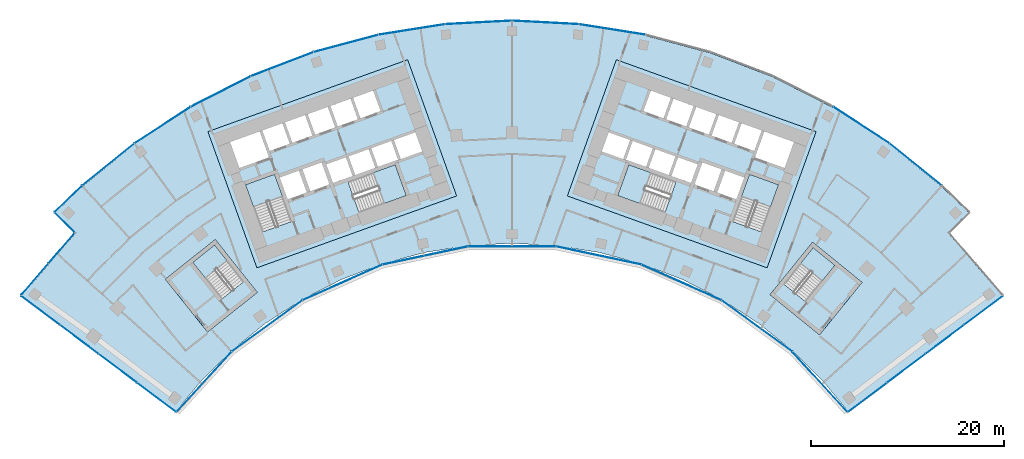
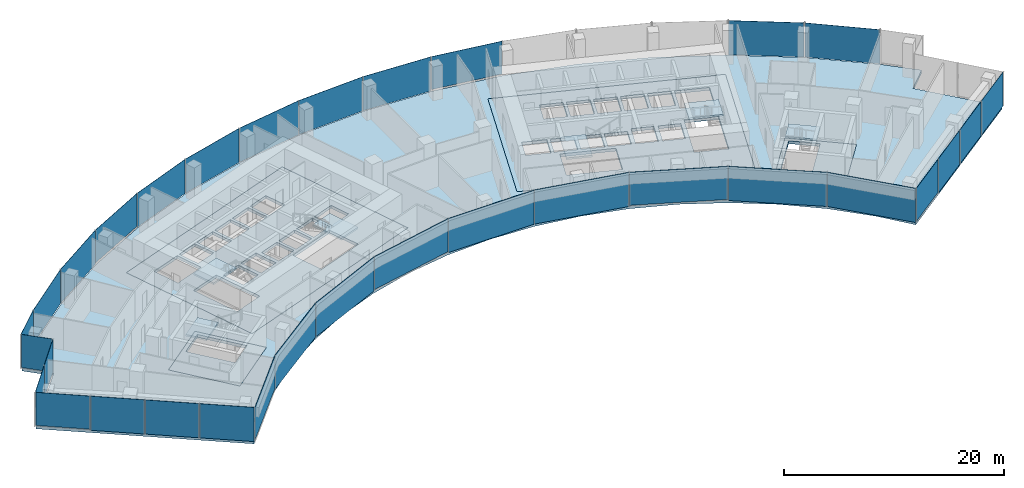
# One storey, part 11 of 20: 32 plates, 11 slabs, 12 elements without a shape of their own.
"""IFC4 building model written with IfcOpenShell, lengths in metres."""

import ifcopenshell
import ifcopenshell.guid

model = None  # the IFC model being written
_history = None  # IfcOwnerHistory: only IFC2X3 demands one
_inside = {}  # id of a spatial element -> (the spatial element, [elements in it])
_under = {}  # id of a project, library or spatial element -> (it, [spatial elements below it])
_declared = {}  # id of a project -> (the project, [libraries it declares])
_typed = {}  # id of a type object -> (the type object, [elements of that type])
_made_of = {}  # id of a material, layer set ... -> (it, [elements and type objects made of it])


def new_model(schema):
    """Start an empty IFC model of exactly this schema.

    Asked for "IFC4X3", IfcOpenShell would pick the latest addendum, in which some entities
    have other attributes; the version numbers below select the first issue.
    IFC2X3 requires an IfcOwnerHistory on every rooted entity: one is made here for all.
    """
    global model, _history
    if schema == "IFC4X3":
        model = ifcopenshell.file(schema_version=(4, 3, 0, 0))
    else:
        model = ifcopenshell.file(schema=schema)
    _inside.clear()
    _under.clear()
    _declared.clear()
    _typed.clear()
    _made_of.clear()
    _history = None
    if model.schema == "IFC2X3":
        org = make("IfcOrganization", Name="unknown")
        user = make(
            "IfcPersonAndOrganization",
            ThePerson=make("IfcPerson", FamilyName="unknown"),
            TheOrganization=org,
        )
        app = make(
            "IfcApplication",
            ApplicationDeveloper=org,
            Version="unknown",
            ApplicationFullName="unknown",
            ApplicationIdentifier="unknown",
        )
        _history = make(
            "IfcOwnerHistory",
            OwningUser=user,
            OwningApplication=app,
            ChangeAction="ADDED",
            CreationDate=0,
        )
    return model


def make(cls, **values):
    """One entity of the class cls with the attributes given. An attribute that is None is left unset."""
    return model.create_entity(
        cls, **{name: value for name, value in values.items() if value is not None}
    )


def rooted(cls, **values):
    """An entity with a GlobalId (a new one), such as an element, a storey or a relation."""
    return make(cls, GlobalId=ifcopenshell.guid.new(), OwnerHistory=_history, **values)


def si_unit(unit_type, name, prefix=None):
    """IfcSIUnit, for example si_unit("LENGTHUNIT", "METRE", prefix="MILLI")."""
    return make("IfcSIUnit", UnitType=unit_type, Prefix=prefix, Name=name)


def assignment(units):
    """IfcUnitAssignment: the units of a project."""
    return None if units is None else make("IfcUnitAssignment", Units=units)


def point(xyz):
    """IfcCartesianPoint."""
    return None if xyz is None else make("IfcCartesianPoint", Coordinates=xyz)


def direction(xyz):
    """IfcDirection."""
    return None if xyz is None else make("IfcDirection", DirectionRatios=xyz)


def frame(location, z_axis=None, x_axis=None):
    """IfcAxis2Placement3D, a coordinate frame: its origin and axes. An axis left out is left unset."""
    return make(
        "IfcAxis2Placement3D",
        Location=point(location),
        Axis=direction(z_axis),
        RefDirection=direction(x_axis),
    )


def frame_2d(location, x_axis=None):
    """IfcAxis2Placement2D, a coordinate frame in the plane: its origin and x axis."""
    return make(
        "IfcAxis2Placement2D", Location=point(location), RefDirection=direction(x_axis)
    )


def origin():
    """The frame at (0, 0, 0) with its axes left unset."""
    return frame((0.0, 0.0, 0.0))


def origin_2d():
    """The frame at (0, 0) in the plane with its x axis left unset."""
    return frame_2d((0.0, 0.0))


def place(relative_to, where):
    """IfcLocalPlacement: puts the frame where relative to a parent placement (None: the world)."""
    return make(
        "IfcLocalPlacement", PlacementRelTo=relative_to, RelativePlacement=where
    )


def context(
    kind, dimensions, precision=None, world=None, true_north=None, identifier=None
):
    """IfcGeometricRepresentationContext, for example the 3D "Model" context."""
    return make(
        "IfcGeometricRepresentationContext",
        ContextIdentifier=identifier,
        ContextType=kind,
        CoordinateSpaceDimension=dimensions,
        Precision=precision,
        WorldCoordinateSystem=world,
        TrueNorth=true_north,
    )


def subcontext(parent, identifier, kind, view, scale=None):
    """IfcGeometricRepresentationSubContext, for example "Body" below "Model"."""
    return make(
        "IfcGeometricRepresentationSubContext",
        ContextIdentifier=identifier,
        ContextType=kind,
        ParentContext=parent,
        TargetScale=scale,
        TargetView=view,
    )


def project(units=None, contexts=None):
    """IfcProject with its units and contexts."""
    return rooted(
        "IfcProject",
        Name="project",
        RepresentationContexts=contexts,
        UnitsInContext=assignment(units),
    )


def spatial(cls, under=None, at=None, **own):
    """A site, building, storey or space (cls), placed at a placement, below another one or the project."""
    s = rooted(cls, ObjectPlacement=at, **own)
    if under is not None:
        _under.setdefault(under.id(), (under, []))[1].append(s)
    return s


def polyline(points):
    """IfcPolyline through the points."""
    return make("IfcPolyline", Points=[point(p) for p in points])


def profile(cls, at=None, kind="AREA", **sizes):
    """A parametric profile (cls). Its sizes go by their IFC names, for example OverallWidth=200.0."""
    return make(cls, ProfileType=kind, Position=at, **sizes)


def rectangle(**sizes):
    """IfcRectangleProfileDef."""
    return profile("IfcRectangleProfileDef", **sizes)


def outline(outer, holes=None, kind="AREA"):
    """IfcArbitraryClosedProfileDef: a profile drawn as a closed curve; with holes, ...WithVoids."""
    if holes is None:
        return make("IfcArbitraryClosedProfileDef", ProfileType=kind, OuterCurve=outer)
    return make(
        "IfcArbitraryProfileDefWithVoids",
        ProfileType=kind,
        OuterCurve=outer,
        InnerCurves=holes,
    )


def extrude(swept, where, along, depth):
    """IfcExtrudedAreaSolid: the profile swept, set in the frame where, extruded along a direction by depth."""
    return make(
        "IfcExtrudedAreaSolid",
        SweptArea=swept,
        Position=where,
        ExtrudedDirection=direction(along),
        Depth=depth,
    )


def shape(context_of_items, identifier, shape_type, items):
    """IfcShapeRepresentation: the items that make up one representation, for example the "Body"."""
    return make(
        "IfcShapeRepresentation",
        ContextOfItems=context_of_items,
        RepresentationIdentifier=identifier,
        RepresentationType=shape_type,
        Items=items,
    )


def material(Name=None, Category=None):
    """IfcMaterial."""
    return make("IfcMaterial", Name=Name, Category=Category)


def layer(
    of_material, thickness, ventilated=None, Name=None, Category=None, Priority=None
):
    """IfcMaterialLayer: one layer of a wall or slab, of a material (None: an air gap)."""
    return make(
        "IfcMaterialLayer",
        Material=of_material,
        LayerThickness=thickness,
        IsVentilated=ventilated,
        Name=Name,
        Category=Category,
        Priority=Priority,
    )


def layer_set(layers, Name=None):
    """IfcMaterialLayerSet."""
    return make("IfcMaterialLayerSet", MaterialLayers=layers, LayerSetName=Name)


def made_of(thing, what):
    """Note that an element or type object is made of a material, layer set ...; save() writes the relation."""
    if what is not None:
        _made_of.setdefault(what.id(), (what, []))[1].append(thing)
    return thing


def type_object(cls, material=None, **own):
    """A type object (cls), such as IfcWallType, which elements share."""
    return made_of(rooted(cls, **own), material)


def element(
    cls,
    number,
    at=None,
    inside=None,
    cuts=None,
    type_object=None,
    material=None,
    context=None,
    identifier="Body",
    shape_type=None,
    held_by="IfcProductDefinitionShape",
    body=None,
    shapes=None,
    **own,
):
    """One element of the class cls, such as IfcWall. Its Tag is "e" and its number.

    at: its placement. inside: the storey or other place that contains it. cuts: it is an
    opening in that element (IfcRelVoidsElement). A single representation is given by context,
    identifier, shape_type and body (its items); several are given by shapes. held_by: the class
    of the entity that holds the representations. save() writes the other relations.
    """
    e = rooted(cls, Tag="e%d" % number, ObjectPlacement=at, **own)
    if body is not None:
        shapes = [shape(context, identifier, shape_type, body)]
    if shapes is not None:
        e.Representation = make(held_by, Representations=shapes)
    if inside is not None:
        _inside.setdefault(inside.id(), (inside, []))[1].append(e)
    if cuts is not None:
        rooted(
            "IfcRelVoidsElement", RelatingBuildingElement=cuts, RelatedOpeningElement=e
        )
    if type_object is not None:
        _typed.setdefault(type_object.id(), (type_object, []))[1].append(e)
    return made_of(e, material)


def aggregate(whole, parts):
    """IfcRelAggregates: a whole, such as a stair, and the parts it consists of."""
    return rooted("IfcRelAggregates", RelatingObject=whole, RelatedObjects=parts)


def save(model, path):
    """Write the relations noted so far, then the file.

    IfcRelAggregates (storeys below a building ...), IfcRelContainedInSpatialStructure (elements
    in a storey), IfcRelDefinesByType, IfcRelAssociatesMaterial and IfcRelDeclares: one each for
    every whole, place, type object, material and project.
    """
    for whole, parts in _under.values():
        aggregate(whole, parts)
    for where, things in _inside.values():
        rooted(
            "IfcRelContainedInSpatialStructure",
            RelatedElements=things,
            RelatingStructure=where,
        )
    for kind, things in _typed.values():
        rooted("IfcRelDefinesByType", RelatedObjects=things, RelatingType=kind)
    for what, things in _made_of.values():
        rooted("IfcRelAssociatesMaterial", RelatedObjects=things, RelatingMaterial=what)
    for by, libraries in _declared.values():
        rooted("IfcRelDeclares", RelatingContext=by, RelatedDefinitions=libraries)
    model.write(path)


model = new_model("IFC4")

# Units and contexts
model_context = context("Model", 3, precision=1e-05, world=origin(), true_north=direction((0.0, 1.0)))
body_context = subcontext(model_context, "Body", "Model", "MODEL_VIEW")
ifc_project = project(units=[si_unit("LENGTHUNIT", "METRE"), si_unit("AREAUNIT", "SQUARE_METRE"), si_unit("VOLUMEUNIT", "CUBIC_METRE"), si_unit("PLANEANGLEUNIT", "RADIAN"), si_unit("MASSUNIT", "GRAM", prefix="KILO")], contexts=[model_context])

# Site, building, storey
site_placement = place(None, origin())
site = spatial("IfcSite", under=ifc_project, at=site_placement, CompositionType="ELEMENT")
building_placement = place(site_placement, origin())
building = spatial("IfcBuilding", under=site, at=building_placement, Name="Stone Belt Terrace Tower", CompositionType="ELEMENT")
storey_placement = place(building_placement, frame((0.0, 0.0, 147.800048828125)))
storey = spatial("IfcBuildingStorey", under=building, at=storey_placement, Name="L35", CompositionType="ELEMENT", Elevation=147.800048828125)

# Curtain wall, plates
ifc_material_1 = material(Name="Aluminium 6063-T6 anodised frame", Category="aluminium")
ifc_layer_1 = layer(ifc_material_1, 0.14990234375)
ifc_layer_set_1 = layer_set([ifc_layer_1], Name="CW-A unitised convex-face curtain wall")
curtain_wall_type_1 = type_object("IfcCurtainWallType", Name="CW-A unitised convex-face curtain wall", PredefinedType="NOTDEFINED", material=ifc_layer_set_1)
curtain_wall_1_placement = place(storey_placement, origin())
curtain_wall_1 = element("IfcCurtainWall", 1, at=curtain_wall_1_placement, inside=storey, type_object=curtain_wall_type_1, Name="CW-A convex face L35", PredefinedType="NOTDEFINED")
ifc_material_2 = material(Name="Clear double glazed unit")
ifc_layer_2 = layer(ifc_material_2, 0.031982421875)
ifc_layer_set_2 = layer_set([ifc_layer_2], Name="CW-A glass panel 32")
plate_type_1 = type_object("IfcPlateType", Name="CW-A glass panel 32", PredefinedType="CURTAIN_PANEL", material=ifc_layer_set_2)
plate_1_placement = place(storey_placement, frame((41.839599609375, 51.667724609375, 0.0), z_axis=(0.0, 0.0, 1.0), x_axis=(-0.777145961457, 0.62932039105, 0.0)))
plate_1 = element("IfcPlate", 2, at=plate_1_placement, type_object=plate_type_1, Name="CW-A panel 2.1", PredefinedType="CURTAIN_PANEL", context=body_context, shape_type="SweptSolid", body=[
    extrude(rectangle(XDim=6.900634765625, YDim=0.031982421875, at=origin_2d()), origin(), (0.0, 0.0, 1.0), 3.800048828125),
])
plate_2_placement = place(storey_placement, frame((36.209716796875, 55.758056640625, 0.0), z_axis=(0.0, 0.0, 1.0), x_axis=(-0.838670567945, 0.544639035015, 0.0)))
plate_2 = element("IfcPlate", 3, at=plate_2_placement, type_object=plate_type_1, Name="CW-A panel 3.1", PredefinedType="CURTAIN_PANEL", context=body_context, shape_type="SweptSolid", body=[
    extrude(rectangle(XDim=6.90087890625, YDim=0.031982421875, at=origin_2d()), origin(), (0.0, 0.0, 1.0), 3.800048828125),
])
plate_3_placement = place(storey_placement, frame((10.400390625, 65.665283203125, 0.14013671875), z_axis=(0.0, 0.0, 1.0), x_axis=(-0.987688340595, 0.15643446504, 0.0)))
plate_3 = element("IfcPlate", 4, at=plate_3_placement, type_object=plate_type_1, Name="CW-A panel 7.1", PredefinedType="CURTAIN_PANEL", context=body_context, shape_type="SweptSolid", body=[
    extrude(rectangle(XDim=6.90087890625, YDim=0.031982421875, at=origin_2d()), origin(), (0.0, 0.0, 1.0), 3.659912109375),
])
plate_4_placement = place(storey_placement, frame((3.4794921875, 66.392822265625, 0.0), z_axis=(0.0, 0.0, 1.0), x_axis=(-0.998629534755, 0.052335956243, 0.0)))
plate_4 = element("IfcPlate", 5, at=plate_4_placement, type_object=plate_type_1, Name="CW-A panel 8.1", PredefinedType="CURTAIN_PANEL", context=body_context, shape_type="SweptSolid", body=[
    extrude(rectangle(XDim=6.90087890625, YDim=0.031982421875, at=origin_2d()), origin(), (0.0, 0.0, 1.0), 3.800048828125),
])
plate_5_placement = place(storey_placement, frame((-3.4794921875, 66.392822265625, 0.0), z_axis=(0.0, 0.0, 1.0), x_axis=(-0.998629534755, -0.052335956243, 0.0)))
plate_5 = element("IfcPlate", 6, at=plate_5_placement, type_object=plate_type_1, Name="CW-A panel 9.1", PredefinedType="CURTAIN_PANEL", context=body_context, shape_type="SweptSolid", body=[
    extrude(rectangle(XDim=6.90087890625, YDim=0.031982421875, at=origin_2d()), origin(), (0.0, 0.0, 1.0), 3.800048828125),
])
plate_6_placement = place(storey_placement, frame((-10.400390625, 65.665283203125, 0.0), z_axis=(0.0, 0.0, 1.0), x_axis=(-0.987688340595, -0.15643446504, 0.0)))
plate_6 = element("IfcPlate", 7, at=plate_6_placement, type_object=plate_type_1, Name="CW-A panel 10.1", PredefinedType="CURTAIN_PANEL", context=body_context, shape_type="SweptSolid", body=[
    extrude(rectangle(XDim=6.90087890625, YDim=0.031982421875, at=origin_2d()), origin(), (0.0, 0.0, 1.0), 3.800048828125),
])
plate_7_placement = place(storey_placement, frame((-17.207275390625, 64.218505859375, 0.0), z_axis=(0.0, 0.0, 1.0), x_axis=(-0.965925826289, -0.258819045103, 0.0)))
plate_7 = element("IfcPlate", 8, at=plate_7_placement, type_object=plate_type_1, Name="CW-A panel 11.1", PredefinedType="CURTAIN_PANEL", context=body_context, shape_type="SweptSolid", body=[
    extrude(rectangle(XDim=6.90087890625, YDim=0.031982421875, at=origin_2d()), origin(), (0.0, 0.0, 1.0), 3.800048828125),
])
plate_8_placement = place(storey_placement, frame((-23.82568359375, 62.068115234375, 0.0), z_axis=(0.0, 0.0, 1.0), x_axis=(-0.933580426497, -0.358367949545, 0.0)))
plate_8 = element("IfcPlate", 9, at=plate_8_placement, type_object=plate_type_1, Name="CW-A panel 12.1", PredefinedType="CURTAIN_PANEL", context=body_context, shape_type="SweptSolid", body=[
    extrude(rectangle(XDim=6.90087890625, YDim=0.031982421875, at=origin_2d()), origin(), (0.0, 0.0, 1.0), 3.800048828125),
])
plate_9_placement = place(storey_placement, frame((-30.18310546875, 59.237548828125, 0.14013671875), z_axis=(0.0, 0.0, 1.0), x_axis=(-0.891006524188, -0.45399049974, 0.0)))
plate_9 = element("IfcPlate", 10, at=plate_9_placement, type_object=plate_type_1, Name="CW-A panel 13.1", PredefinedType="CURTAIN_PANEL", context=body_context, shape_type="SweptSolid", body=[
    extrude(rectangle(XDim=6.90087890625, YDim=0.031982421875, at=origin_2d()), origin(), (0.0, 0.0, 1.0), 3.659912109375),
])
plate_10_placement = place(storey_placement, frame((-36.209716796875, 55.758056640625, 0.0), z_axis=(0.0, 0.0, 1.0), x_axis=(-0.838670567945, -0.544639035015, 0.0)))
plate_10 = element("IfcPlate", 11, at=plate_10_placement, type_object=plate_type_1, Name="CW-A panel 14.1", PredefinedType="CURTAIN_PANEL", context=body_context, shape_type="SweptSolid", body=[
    extrude(rectangle(XDim=6.90087890625, YDim=0.031982421875, at=origin_2d()), origin(), (0.0, 0.0, 1.0), 3.800048828125),
])
plate_11_placement = place(storey_placement, frame((-41.839599609375, 51.667724609375, 0.0), z_axis=(0.0, 0.0, 1.0), x_axis=(-0.777145961457, -0.62932039105, 0.0)))
plate_11 = element("IfcPlate", 12, at=plate_11_placement, type_object=plate_type_1, Name="CW-A panel 15.1", PredefinedType="CURTAIN_PANEL", context=body_context, shape_type="SweptSolid", body=[
    extrude(rectangle(XDim=6.900634765625, YDim=0.031982421875, at=origin_2d()), origin(), (0.0, 0.0, 1.0), 3.800048828125),
])
plate_12_placement = place(storey_placement, frame((-45.9765625, 48.109619140625, 0.0), z_axis=(0.0, 0.0, 1.0), x_axis=(-0.723120883539, -0.690721497993, 0.0)))
plate_12 = element("IfcPlate", 13, at=plate_12_placement, type_object=plate_type_1, Name="CW-A panel 16.1", PredefinedType="CURTAIN_PANEL", context=body_context, shape_type="SweptSolid", body=[
    extrude(rectangle(XDim=3.888671875, YDim=0.031982421875, at=origin_2d()), origin(), (0.0, 0.0, 1.0), 3.800048828125),
])
aggregate(curtain_wall_1, [plate_1, plate_2, plate_3, plate_4, plate_5, plate_6, plate_7, plate_8, plate_9, plate_10, plate_11, plate_12])

ifc_layer_3 = layer(ifc_material_1, 0.14990234375)
ifc_layer_set_3 = layer_set([ifc_layer_3], Name="CW-B unitised concave-face curtain wall")
curtain_wall_type_2 = type_object("IfcCurtainWallType", Name="CW-B unitised concave-face curtain wall", PredefinedType="NOTDEFINED", material=ifc_layer_set_3)
curtain_wall_2_placement = place(storey_placement, origin())
curtain_wall_2 = element("IfcCurtainWall", 14, at=curtain_wall_2_placement, inside=storey, type_object=curtain_wall_type_2, Name="CW-B concave face L35", PredefinedType="NOTDEFINED")
ifc_layer_4 = layer(ifc_material_2, 0.030029296875)
ifc_layer_set_4 = layer_set([ifc_layer_4], Name="CW-B glass panel 30")
plate_type_2 = type_object("IfcPlateType", Name="CW-B glass panel 30", PredefinedType="CURTAIN_PANEL", material=ifc_layer_set_4)
plate_13_placement = place(storey_placement, frame((-31.9111328125, 29.148681640625, 0.1201171875), z_axis=(0.0, 0.0, 1.0), x_axis=(0.674760998748, 0.73803630979, 0.0)))
plate_13 = element("IfcPlate", 15, at=plate_13_placement, type_object=plate_type_2, Name="CW-B panel 1.1", PredefinedType="CURTAIN_PANEL", context=body_context, shape_type="SweptSolid", body=[
    extrude(rectangle(XDim=8.39501953125, YDim=0.030029296875, at=origin_2d()), origin(), (0.0, 0.0, 1.0), 3.679931640625),
])
plate_14_placement = place(storey_placement, frame((-25.384765625, 34.938720703125, 0.0), z_axis=(0.0, 0.0, 1.0), x_axis=(0.809016994375, 0.587785252292, 0.0)))
plate_14 = element("IfcPlate", 16, at=plate_14_placement, type_object=plate_type_2, Name="CW-B panel 2.1", PredefinedType="CURTAIN_PANEL", context=body_context, shape_type="SweptSolid", body=[
    extrude(rectangle(XDim=9.013427734375, YDim=0.030029296875, at=origin_2d()), origin(), (0.0, 0.0, 1.0), 3.800048828125),
])
plate_15_placement = place(storey_placement, frame((-17.565673828125, 39.453125, 0.0), z_axis=(0.0, 0.0, 1.0), x_axis=(0.913545457643, 0.406736643076, 0.0)))
plate_15 = element("IfcPlate", 17, at=plate_15_placement, type_object=plate_type_2, Name="CW-B panel 3.1", PredefinedType="CURTAIN_PANEL", context=body_context, shape_type="SweptSolid", body=[
    extrude(rectangle(XDim=9.0126953125, YDim=0.030029296875, at=origin_2d()), origin(), (0.0, 0.0, 1.0), 3.800048828125),
])
plate_16_placement = place(storey_placement, frame((-8.97900390625, 42.242919921875, 0.1201171875), z_axis=(0.0, 0.0, 1.0), x_axis=(0.978147600734, 0.207911690818, 0.0)))
plate_16 = element("IfcPlate", 18, at=plate_16_placement, type_object=plate_type_2, Name="CW-B panel 4.1", PredefinedType="CURTAIN_PANEL", context=body_context, shape_type="SweptSolid", body=[
    extrude(rectangle(XDim=9.0126953125, YDim=0.030029296875, at=origin_2d()), origin(), (0.0, 0.0, 1.0), 3.679931640625),
])
plate_17_placement = place(storey_placement, frame((0.0, 43.186767578125, 0.0), z_axis=(0.0, 0.0, 1.0), x_axis=(1.0, 0.0, 0.0)))
plate_17 = element("IfcPlate", 19, at=plate_17_placement, type_object=plate_type_2, Name="CW-B panel 5.1", PredefinedType="CURTAIN_PANEL", context=body_context, shape_type="SweptSolid", body=[
    extrude(rectangle(XDim=9.0126953125, YDim=0.030029296875, at=origin_2d()), origin(), (0.0, 0.0, 1.0), 3.800048828125),
])
plate_18_placement = place(storey_placement, frame((8.97900390625, 42.242919921875, 0.0), z_axis=(0.0, 0.0, 1.0), x_axis=(0.978147600734, -0.207911690818, 0.0)))
plate_18 = element("IfcPlate", 20, at=plate_18_placement, type_object=plate_type_2, Name="CW-B panel 6.1", PredefinedType="CURTAIN_PANEL", context=body_context, shape_type="SweptSolid", body=[
    extrude(rectangle(XDim=9.0126953125, YDim=0.030029296875, at=origin_2d()), origin(), (0.0, 0.0, 1.0), 3.800048828125),
])
plate_19_placement = place(storey_placement, frame((17.565673828125, 39.453125, 0.1201171875), z_axis=(0.0, 0.0, 1.0), x_axis=(0.913545457643, -0.406736643076, 0.0)))
plate_19 = element("IfcPlate", 21, at=plate_19_placement, type_object=plate_type_2, Name="CW-B panel 7.1", PredefinedType="CURTAIN_PANEL", context=body_context, shape_type="SweptSolid", body=[
    extrude(rectangle(XDim=9.0126953125, YDim=0.030029296875, at=origin_2d()), origin(), (0.0, 0.0, 1.0), 3.679931640625),
])
plate_20_placement = place(storey_placement, frame((25.384765625, 34.938720703125, 0.0), z_axis=(0.0, 0.0, 1.0), x_axis=(0.809016994375, -0.587785252292, 0.0)))
plate_20 = element("IfcPlate", 22, at=plate_20_placement, type_object=plate_type_2, Name="CW-B panel 8.1", PredefinedType="CURTAIN_PANEL", context=body_context, shape_type="SweptSolid", body=[
    extrude(rectangle(XDim=9.013427734375, YDim=0.030029296875, at=origin_2d()), origin(), (0.0, 0.0, 1.0), 3.800048828125),
])
plate_21_placement = place(storey_placement, frame((31.9111328125, 29.148681640625, 0.0), z_axis=(0.0, 0.0, 1.0), x_axis=(0.674760998748, -0.73803630979, 0.0)))
plate_21 = element("IfcPlate", 23, at=plate_21_placement, type_object=plate_type_2, Name="CW-B panel 9.1", PredefinedType="CURTAIN_PANEL", context=body_context, shape_type="SweptSolid", body=[
    extrude(rectangle(XDim=8.39501953125, YDim=0.030029296875, at=origin_2d()), origin(), (0.0, 0.0, 1.0), 3.800048828125),
])
aggregate(curtain_wall_2, [plate_13, plate_14, plate_15, plate_16, plate_17, plate_18, plate_19, plate_20, plate_21])

ifc_layer_5 = layer(ifc_material_1, 0.14990234375)
ifc_layer_set_5 = layer_set([ifc_layer_5], Name="CW-C stick curtain wall, horn ends and notches")
curtain_wall_type_3 = type_object("IfcCurtainWallType", Name="CW-C stick curtain wall, horn ends and notches", PredefinedType="NOTDEFINED", material=ifc_layer_set_5)
curtain_wall_3_placement = place(storey_placement, origin())
curtain_wall_3 = element("IfcCurtainWall", 24, at=curtain_wall_3_placement, inside=storey, type_object=curtain_wall_type_3, Name="CW-C end face L35", PredefinedType="NOTDEFINED")
ifc_layer_6 = layer(ifc_material_2, 0.028076171875)
ifc_layer_set_6 = layer_set([ifc_layer_6], Name="CW-C glass panel 28")
plate_type_3 = type_object("IfcPlateType", Name="CW-C glass panel 28", PredefinedType="CURTAIN_PANEL", material=ifc_layer_set_6)
plate_22_placement = place(storey_placement, frame((36.834228515625, 27.533203125, 0.1201171875), z_axis=(0.0, 0.0, 1.0), x_axis=(0.799986505357, 0.600017992436, 0.0)))
plate_22 = element("IfcPlate", 25, at=plate_22_placement, type_object=plate_type_3, Name="CW-C panel 1.1", PredefinedType="CURTAIN_PANEL", context=body_context, shape_type="SweptSolid", body=[
    extrude(rectangle(XDim=4.96533203125, YDim=0.028076171875, at=origin_2d()), origin(), (0.0, 0.0, 1.0), 3.679931640625),
])
plate_23_placement = place(storey_placement, frame((40.84423828125, 30.541015625, 0.0), z_axis=(0.0, 0.0, 1.0), x_axis=(0.799986505357, 0.600017992436, 0.0)))
plate_23 = element("IfcPlate", 26, at=plate_23_placement, type_object=plate_type_3, Name="CW-C panel 2.1", PredefinedType="CURTAIN_PANEL", context=body_context, shape_type="SweptSolid", body=[
    extrude(rectangle(XDim=4.93994140625, YDim=0.028076171875, at=origin_2d()), origin(), (0.0, 0.0, 1.0), 3.800048828125),
])
plate_24_placement = place(storey_placement, frame((44.84423828125, 33.541015625, 0.0), z_axis=(0.0, 0.0, 1.0), x_axis=(0.799986505357, 0.600017992436, 0.0)))
plate_24 = element("IfcPlate", 27, at=plate_24_placement, type_object=plate_type_3, Name="CW-C panel 3.1", PredefinedType="CURTAIN_PANEL", context=body_context, shape_type="SweptSolid", body=[
    extrude(rectangle(XDim=4.93994140625, YDim=0.028076171875, at=origin_2d()), origin(), (0.0, 0.0, 1.0), 3.800048828125),
])
plate_25_placement = place(storey_placement, frame((48.858154296875, 36.551513671875, 0.0), z_axis=(0.0, 0.0, 1.0), x_axis=(0.799986505357, 0.600017992436, 0.0)))
plate_25 = element("IfcPlate", 28, at=plate_25_placement, type_object=plate_type_3, Name="CW-C panel 4.1", PredefinedType="CURTAIN_PANEL", context=body_context, shape_type="SweptSolid", body=[
    extrude(rectangle(XDim=4.974853515625, YDim=0.028076171875, at=origin_2d()), origin(), (0.0, 0.0, 1.0), 3.800048828125),
])
aggregate(curtain_wall_3, [plate_22, plate_23, plate_24, plate_25])

# Curtain wall, plate
curtain_wall_4_placement = place(storey_placement, origin())
curtain_wall_4 = element("IfcCurtainWall", 29, at=curtain_wall_4_placement, inside=storey, type_object=curtain_wall_type_3, Name="CW-C notch face L35", PredefinedType="NOTDEFINED")
plate_26_placement = place(storey_placement, frame((-46.365966796875, 45.658447265625, 0.1201171875), z_axis=(0.0, 0.0, 1.0), x_axis=(0.711713447851, -0.702469905511, 0.0)))
plate_26 = element("IfcPlate", 30, at=plate_26_placement, type_object=plate_type_3, Name="CW-C panel 1.1", PredefinedType="CURTAIN_PANEL", context=body_context, shape_type="SweptSolid", body=[
    extrude(rectangle(XDim=2.859375, YDim=0.028076171875, at=origin_2d()), origin(), (0.0, 0.0, 1.0), 3.679931640625),
])
aggregate(curtain_wall_4, [plate_26])

# Curtain wall, plates
curtain_wall_5_placement = place(storey_placement, origin())
curtain_wall_5 = element("IfcCurtainWall", 31, at=curtain_wall_5_placement, inside=storey, type_object=curtain_wall_type_3, Name="CW-C notch face L35", PredefinedType="NOTDEFINED")
plate_27_placement = place(storey_placement, frame((-46.68896484375, 42.986572265625, 0.1201171875), z_axis=(0.0, 0.0, 1.0), x_axis=(-0.652737860281, -0.757583847343, 0.0)))
plate_27 = element("IfcPlate", 32, at=plate_27_placement, type_object=plate_type_3, Name="CW-C panel 1.1", PredefinedType="CURTAIN_PANEL", context=body_context, shape_type="SweptSolid", body=[
    extrude(rectangle(XDim=4.12060546875, YDim=0.028076171875, at=origin_2d()), origin(), (0.0, 0.0, 1.0), 3.679931640625),
])
plate_28_placement = place(storey_placement, frame((-49.466064453125, 39.76318359375, 0.0), z_axis=(0.0, 0.0, 1.0), x_axis=(-0.652737860281, -0.757583847343, 0.0)))
plate_28 = element("IfcPlate", 33, at=plate_28_placement, type_object=plate_type_3, Name="CW-C panel 2.1", PredefinedType="CURTAIN_PANEL", context=body_context, shape_type="SweptSolid", body=[
    extrude(rectangle(XDim=4.268798828125, YDim=0.028076171875, at=origin_2d()), origin(), (0.0, 0.0, 1.0), 3.800048828125),
])
aggregate(curtain_wall_5, [plate_27, plate_28])

curtain_wall_6_placement = place(storey_placement, origin())
curtain_wall_6 = element("IfcCurtainWall", 34, at=curtain_wall_6_placement, inside=storey, type_object=curtain_wall_type_3, Name="CW-C end face L35", PredefinedType="NOTDEFINED")
plate_29_placement = place(storey_placement, frame((-48.858154296875, 36.551513671875, 0.1201171875), z_axis=(0.0, 0.0, 1.0), x_axis=(0.799986505357, -0.600017992436, 0.0)))
plate_29 = element("IfcPlate", 35, at=plate_29_placement, type_object=plate_type_3, Name="CW-C panel 1.1", PredefinedType="CURTAIN_PANEL", context=body_context, shape_type="SweptSolid", body=[
    extrude(rectangle(XDim=4.974853515625, YDim=0.028076171875, at=origin_2d()), origin(), (0.0, 0.0, 1.0), 3.679931640625),
])
plate_30_placement = place(storey_placement, frame((-44.84423828125, 33.541015625, 0.0), z_axis=(0.0, 0.0, 1.0), x_axis=(0.799986505357, -0.600017992436, 0.0)))
plate_30 = element("IfcPlate", 36, at=plate_30_placement, type_object=plate_type_3, Name="CW-C panel 2.1", PredefinedType="CURTAIN_PANEL", context=body_context, shape_type="SweptSolid", body=[
    extrude(rectangle(XDim=4.93994140625, YDim=0.028076171875, at=origin_2d()), origin(), (0.0, 0.0, 1.0), 3.800048828125),
])
plate_31_placement = place(storey_placement, frame((-40.84423828125, 30.541015625, 0.0), z_axis=(0.0, 0.0, 1.0), x_axis=(0.799986505357, -0.600017992436, 0.0)))
plate_31 = element("IfcPlate", 37, at=plate_31_placement, type_object=plate_type_3, Name="CW-C panel 3.1", PredefinedType="CURTAIN_PANEL", context=body_context, shape_type="SweptSolid", body=[
    extrude(rectangle(XDim=4.93994140625, YDim=0.028076171875, at=origin_2d()), origin(), (0.0, 0.0, 1.0), 3.800048828125),
])
plate_32_placement = place(storey_placement, frame((-36.834228515625, 27.533203125, 0.0), z_axis=(0.0, 0.0, 1.0), x_axis=(0.799986505357, -0.600017992436, 0.0)))
plate_32 = element("IfcPlate", 38, at=plate_32_placement, type_object=plate_type_3, Name="CW-C panel 4.1", PredefinedType="CURTAIN_PANEL", context=body_context, shape_type="SweptSolid", body=[
    extrude(rectangle(XDim=4.96533203125, YDim=0.028076171875, at=origin_2d()), origin(), (0.0, 0.0, 1.0), 3.800048828125),
])
aggregate(curtain_wall_6, [plate_29, plate_30, plate_31, plate_32])

# Slabs
ifc_material_3 = material(Name="Concrete B40", Category="concrete")
ifc_layer_7 = layer(ifc_material_3, 0.320068359375)
ifc_layer_set_7 = layer_set([ifc_layer_7], Name="Core floor slab 320")
slab_type_1 = type_object("IfcSlabType", Name="Core floor slab 320", PredefinedType="FLOOR", material=ifc_layer_set_7)
slab_1_placement = place(storey_placement, frame((0.0, 0.0, -0.320068359375)))
element("IfcSlab", 39, at=slab_1_placement, inside=storey, type_object=slab_type_1, Name="Core A floor L35", PredefinedType="FLOOR", context=body_context, shape_type="SweptSolid", body=[
    extrude(outline(polyline([(-26.43505859375, 40.968994140625), (-5.735107421875, 48.4189453125), (-10.81396484375, 62.531982421875), (-31.513916015625, 55.0830078125), (-26.43505859375, 40.968994140625)]), holes=[polyline([(-24.60791015625, 50.659912109375), (-22.847900390625, 45.76806640625), (-25.85888671875, 44.68408203125), (-27.618896484375, 49.575927734375), (-24.60791015625, 50.659912109375)]), polyline([(-23.25, 48.06689453125), (-24.06298828125, 50.324951171875), (-22.0869140625, 51.035888671875), (-21.27392578125, 48.778076171875), (-23.25, 48.06689453125)]), polyline([(-20.89794921875, 48.9130859375), (-21.7109375, 51.1708984375), (-19.735107421875, 51.883056640625), (-18.922119140625, 49.6240234375), (-20.89794921875, 48.9130859375)]), polyline([(-29.2109375, 53.9990234375), (-26.153076171875, 55.09912109375), (-25.18798828125, 52.41796875), (-28.24609375, 51.31689453125), (-29.2109375, 53.9990234375)]), polyline([(-23.801025390625, 55.946044921875), (-23.0390625, 53.8291015625), (-25.10888671875, 53.083984375), (-25.87109375, 55.200927734375), (-23.801025390625, 55.946044921875)]), polyline([(-21.447998046875, 56.7919921875), (-20.68603515625, 54.675048828125), (-22.756103515625, 53.929931640625), (-23.51806640625, 56.047119140625), (-21.447998046875, 56.7919921875)]), polyline([(-19.095947265625, 57.638916015625), (-18.333984375, 55.52197265625), (-20.404052734375, 54.777099609375), (-21.166015625, 56.89404296875), (-19.095947265625, 57.638916015625)]), polyline([(-10.955078125, 48.452880859375), (-15.846923828125, 46.69189453125), (-16.998046875, 49.89208984375), (-12.10595703125, 51.652099609375), (-10.955078125, 48.452880859375)]), polyline([(-19.239990234375, 51.68896484375), (-17.217041015625, 52.4169921875), (-16.52294921875, 50.488037109375), (-18.5458984375, 49.760009765625), (-19.239990234375, 51.68896484375)]), polyline([(-16.239990234375, 50.589111328125), (-16.93408203125, 52.51806640625), (-14.864013671875, 53.262939453125), (-14.169921875, 51.333984375), (-16.239990234375, 50.589111328125)]), polyline([(-11.847900390625, 52.116943359375), (-11.864990234375, 52.1640625), (-13.887939453125, 51.43603515625), (-14.58203125, 53.364990234375), (-12.511962890625, 54.110107421875), (-11.801025390625, 52.134033203125), (-11.847900390625, 52.116943359375)]), polyline([(-9.30810546875, 53.031005859375), (-11.51904296875, 52.235107421875), (-12.22998046875, 54.2109375), (-10.01904296875, 55.007080078125), (-9.30810546875, 53.031005859375)]), polyline([(-16.743896484375, 58.485107421875), (-15.98193359375, 56.367919921875), (-18.052001953125, 55.623046875), (-18.81396484375, 57.739990234375), (-16.743896484375, 58.485107421875)]), polyline([(-14.39111328125, 59.33203125), (-13.6298828125, 57.215087890625), (-15.699951171875, 56.469970703125), (-16.4609375, 58.5869140625), (-14.39111328125, 59.33203125)])]), origin(), (0.0, 0.0, 1.0), 0.320068359375),
])
slab_2_placement = place(storey_placement, frame((0.0, 0.0, -0.320068359375)))
element("IfcSlab", 40, at=slab_2_placement, inside=storey, type_object=slab_type_1, Name="Core B floor L35", PredefinedType="FLOOR", context=body_context, shape_type="SweptSolid", body=[
    extrude(outline(polyline([(26.43505859375, 40.968994140625), (31.513916015625, 55.0830078125), (10.81396484375, 62.531982421875), (5.735107421875, 48.4189453125), (26.43505859375, 40.968994140625)]), holes=[polyline([(12.10595703125, 51.652099609375), (16.998046875, 49.89208984375), (15.846923828125, 46.69189453125), (10.955078125, 48.452880859375), (12.10595703125, 51.652099609375)]), polyline([(19.239990234375, 51.68896484375), (18.5458984375, 49.760009765625), (16.52294921875, 50.488037109375), (17.217041015625, 52.4169921875), (19.239990234375, 51.68896484375)]), polyline([(16.239990234375, 50.589111328125), (14.169921875, 51.333984375), (14.864013671875, 53.262939453125), (16.93408203125, 52.51806640625), (16.239990234375, 50.589111328125)]), polyline([(12.511962890625, 54.110107421875), (14.58203125, 53.364990234375), (13.887939453125, 51.43603515625), (11.864990234375, 52.1640625), (11.847900390625, 52.116943359375), (11.801025390625, 52.134033203125), (12.511962890625, 54.110107421875)]), polyline([(9.30810546875, 53.031005859375), (10.01904296875, 55.007080078125), (12.22998046875, 54.2109375), (11.51904296875, 52.235107421875), (9.30810546875, 53.031005859375)]), polyline([(16.743896484375, 58.485107421875), (18.81396484375, 57.739990234375), (18.052001953125, 55.623046875), (15.98193359375, 56.367919921875), (16.743896484375, 58.485107421875)]), polyline([(14.39111328125, 59.33203125), (16.4609375, 58.5869140625), (15.699951171875, 56.469970703125), (13.6298828125, 57.215087890625), (14.39111328125, 59.33203125)]), polyline([(27.618896484375, 49.575927734375), (25.85888671875, 44.68408203125), (22.847900390625, 45.76806640625), (24.60791015625, 50.659912109375), (27.618896484375, 49.575927734375)]), polyline([(23.25, 48.06689453125), (21.27392578125, 48.778076171875), (22.0869140625, 51.035888671875), (24.06298828125, 50.324951171875), (23.25, 48.06689453125)]), polyline([(20.89794921875, 48.9130859375), (18.922119140625, 49.6240234375), (19.735107421875, 51.883056640625), (21.7109375, 51.1708984375), (20.89794921875, 48.9130859375)]), polyline([(29.2109375, 53.9990234375), (28.24609375, 51.31689453125), (25.18798828125, 52.41796875), (26.153076171875, 55.09912109375), (29.2109375, 53.9990234375)]), polyline([(23.801025390625, 55.946044921875), (25.87109375, 55.200927734375), (25.10888671875, 53.083984375), (23.0390625, 53.8291015625), (23.801025390625, 55.946044921875)]), polyline([(21.447998046875, 56.7919921875), (23.51806640625, 56.047119140625), (22.756103515625, 53.929931640625), (20.68603515625, 54.675048828125), (21.447998046875, 56.7919921875)]), polyline([(19.095947265625, 57.638916015625), (21.166015625, 56.89404296875), (20.404052734375, 54.777099609375), (18.333984375, 55.52197265625), (19.095947265625, 57.638916015625)])]), origin(), (0.0, 0.0, 1.0), 0.320068359375),
])
slab_3_placement = place(storey_placement, frame((0.0, 0.0, -0.320068359375)))
element("IfcSlab", 41, at=slab_3_placement, inside=storey, type_object=slab_type_1, Name="Exit stair ST3A floor L35", PredefinedType="FLOOR", context=body_context, shape_type="SweptSolid", body=[
    extrude(outline(polyline([(-26.39404296875, 38.425048828125), (-30.756103515625, 43.89990234375), (-35.91796875, 39.787109375), (-31.555908203125, 34.31298828125), (-26.39404296875, 38.425048828125)]), holes=[polyline([(-27.798095703125, 39.544921875), (-30.06591796875, 37.738037109375), (-33.087890625, 41.531005859375), (-30.820068359375, 43.337890625), (-27.798095703125, 39.544921875)])]), origin(), (0.0, 0.0, 1.0), 0.320068359375),
])
slab_4_placement = place(storey_placement, frame((0.0, 0.0, -0.320068359375)))
element("IfcSlab", 42, at=slab_4_placement, inside=storey, type_object=slab_type_1, Name="Exit stair ST3B floor L35", PredefinedType="FLOOR", context=body_context, shape_type="SweptSolid", body=[
    extrude(outline(polyline([(26.741943359375, 38.18408203125), (31.866943359375, 34.02392578125), (36.278076171875, 39.458984375), (31.154052734375, 43.618896484375), (26.741943359375, 38.18408203125)]), holes=[polyline([(30.407958984375, 37.462890625), (28.156005859375, 39.291015625), (31.2119140625, 43.055908203125), (33.464111328125, 41.22802734375), (30.407958984375, 37.462890625)])]), origin(), (0.0, 0.0, 1.0), 0.320068359375),
])
ifc_layer_8 = layer(ifc_material_3, 0.320068359375)
ifc_layer_set_8 = layer_set([ifc_layer_8], Name="Floor slab 320 B40")
slab_type_2 = type_object("IfcSlabType", Name="Floor slab 320 B40", PredefinedType="FLOOR", material=ifc_layer_set_8)
slab_5_placement = place(storey_placement, frame((0.0, 0.0, -0.320068359375)))
element("IfcSlab", 43, at=slab_5_placement, inside=storey, type_object=slab_type_2, Name="Floor slab L35", PredefinedType="FLOOR", context=body_context, shape_type="SweptSolid", body=[
    extrude(outline(polyline([(-44.497314453125, 49.419189453125), (-39.087646484375, 53.799560546875), (-33.25, 57.5908203125), (-27.048095703125, 60.750732421875), (-20.549560546875, 63.245361328125), (-13.826171875, 65.046875), (-6.951171875, 66.1357421875), (0.0, 66.5), (6.951171875, 66.1357421875), (13.826171875, 65.046875), (20.549560546875, 63.245361328125), (27.048095703125, 60.750732421875), (33.25, 57.5908203125), (39.087646484375, 53.799560546875), (44.497314453125, 49.419189453125), (47.328857421875, 46.714111328125), (45.19384765625, 44.606689453125), (50.799072265625, 38.10107421875), (34.79931640625, 26.100830078125), (32.326904296875, 29.107177734375), (29.107177734375, 32.326904296875), (25.568603515625, 35.192138671875), (21.75, 37.672119140625), (17.693115234375, 39.7392578125), (13.442138671875, 41.37109375), (9.044189453125, 42.54931640625), (4.547119140625, 43.26171875), (0.0, 43.5), (-4.547119140625, 43.26171875), (-9.044189453125, 42.54931640625), (-13.442138671875, 41.37109375), (-17.693115234375, 39.7392578125), (-21.75, 37.672119140625), (-25.568603515625, 35.192138671875), (-29.107177734375, 32.326904296875), (-32.326904296875, 29.107177734375), (-34.79931640625, 26.100830078125), (-50.799072265625, 38.10107421875), (-45.19384765625, 44.606689453125), (-47.328857421875, 46.714111328125), (-44.497314453125, 49.419189453125)]), holes=[polyline([(-26.434814453125, 40.968994140625), (-5.734619140625, 48.418701171875), (-10.81396484375, 62.532470703125), (-31.51416015625, 55.082763671875), (-26.434814453125, 40.968994140625)]), polyline([(10.81396484375, 62.532470703125), (5.734619140625, 48.418701171875), (26.434814453125, 40.968994140625), (31.51416015625, 55.082763671875), (10.81396484375, 62.532470703125)]), polyline([(-35.91796875, 39.787353515625), (-31.55615234375, 34.3125), (-26.39404296875, 38.425048828125), (-30.756103515625, 43.89990234375), (-35.91796875, 39.787353515625)]), polyline([(36.2783203125, 39.459228515625), (31.15380859375, 43.61865234375), (26.742431640625, 38.18359375), (31.86669921875, 34.024169921875), (36.2783203125, 39.459228515625)])]), origin(), (0.0, 0.0, 1.0), 0.320068359375),
])

# Stair, slab
stair_type = type_object("IfcStairType", Name="Exit stair 1500", PredefinedType="HALF_TURN_STAIR", material=ifc_material_3)
stair_1_placement = place(storey_placement, origin())
stair_1 = element("IfcStair", 44, at=stair_1_placement, inside=storey, type_object=stair_type, Name="L35 Exit stair 1 core A", PredefinedType="HALF_TURN_STAIR")
ifc_layer_9 = layer(ifc_material_3, 0.199951171875)
ifc_layer_set_9 = layer_set([ifc_layer_9], Name="Stair landing 200")
slab_type_3 = type_object("IfcSlabType", Name="Stair landing 200", PredefinedType="LANDING", material=ifc_layer_set_9)
slab_6_placement = place(storey_placement, frame((0.0, 0.0, 1.699951171875)))
slab_6 = element("IfcSlab", 45, at=slab_6_placement, type_object=slab_type_3, Name="ST1A landing 1", PredefinedType="LANDING", context=body_context, shape_type="SweptSolid", body=[
    extrude(outline(polyline([(-23.79541015625, 48.40087890625), (-24.6083984375, 50.659912109375), (-27.619384765625, 49.576171875), (-26.806396484375, 47.3173828125), (-23.79541015625, 48.40087890625)])), origin(), (0.0, 0.0, 1.0), 0.199951171875),
])
aggregate(stair_1, [slab_6])

stair_2_placement = place(storey_placement, origin())
stair_2 = element("IfcStair", 46, at=stair_2_placement, inside=storey, type_object=stair_type, Name="L35 Exit stair 2 core A", PredefinedType="HALF_TURN_STAIR")
slab_7_placement = place(storey_placement, frame((0.0, 0.0, 1.699951171875)))
slab_7 = element("IfcSlab", 47, at=slab_7_placement, type_object=slab_type_3, Name="ST2A landing 1", PredefinedType="LANDING", context=body_context, shape_type="SweptSolid", body=[
    extrude(outline(polyline([(-13.213623046875, 47.64013671875), (-10.95458984375, 48.453125), (-12.10595703125, 51.652099609375), (-14.36474609375, 50.839111328125), (-13.213623046875, 47.64013671875)])), origin(), (0.0, 0.0, 1.0), 0.199951171875),
])
aggregate(stair_2, [slab_7])

stair_3_placement = place(storey_placement, origin())
stair_3 = element("IfcStair", 48, at=stair_3_placement, inside=storey, type_object=stair_type, Name="L35 Exit stair 1 core B", PredefinedType="HALF_TURN_STAIR")
slab_8_placement = place(storey_placement, frame((0.0, 0.0, 1.699951171875)))
slab_8 = element("IfcSlab", 49, at=slab_8_placement, type_object=slab_type_3, Name="ST1B landing 1", PredefinedType="LANDING", context=body_context, shape_type="SweptSolid", body=[
    extrude(outline(polyline([(26.806396484375, 47.3173828125), (27.619384765625, 49.576171875), (24.6083984375, 50.659912109375), (23.79541015625, 48.40087890625), (26.806396484375, 47.3173828125)])), origin(), (0.0, 0.0, 1.0), 0.199951171875),
])
aggregate(stair_3, [slab_8])

stair_4_placement = place(storey_placement, origin())
stair_4 = element("IfcStair", 50, at=stair_4_placement, inside=storey, type_object=stair_type, Name="L35 Exit stair 2 core B", PredefinedType="HALF_TURN_STAIR")
slab_9_placement = place(storey_placement, frame((0.0, 0.0, 1.699951171875)))
slab_9 = element("IfcSlab", 51, at=slab_9_placement, type_object=slab_type_3, Name="ST2B landing 1", PredefinedType="LANDING", context=body_context, shape_type="SweptSolid", body=[
    extrude(outline(polyline([(14.36474609375, 50.839111328125), (12.10595703125, 51.652099609375), (10.95458984375, 48.453125), (13.213623046875, 47.64013671875), (14.36474609375, 50.839111328125)])), origin(), (0.0, 0.0, 1.0), 0.199951171875),
])
aggregate(stair_4, [slab_9])

stair_5_placement = place(storey_placement, origin())
stair_5 = element("IfcStair", 52, at=stair_5_placement, inside=storey, type_object=stair_type, Name="L35 Exit stair 3A", PredefinedType="HALF_TURN_STAIR")
slab_10_placement = place(storey_placement, frame((0.0, 0.0, 1.699951171875)))
slab_10 = element("IfcSlab", 53, at=slab_10_placement, type_object=slab_type_3, Name="ST3A landing 1", PredefinedType="LANDING", context=body_context, shape_type="SweptSolid", body=[
    extrude(outline(polyline([(-29.541748046875, 41.73388671875), (-30.819580078125, 43.337890625), (-33.087646484375, 41.53076171875), (-31.809814453125, 39.9267578125), (-29.541748046875, 41.73388671875)])), origin(), (0.0, 0.0, 1.0), 0.199951171875),
])
aggregate(stair_5, [slab_10])

stair_6_placement = place(storey_placement, origin())
stair_6 = element("IfcStair", 54, at=stair_6_placement, inside=storey, type_object=stair_type, Name="L35 Exit stair 3B", PredefinedType="HALF_TURN_STAIR")
slab_11_placement = place(storey_placement, frame((0.0, 0.0, 1.699951171875)))
slab_11 = element("IfcSlab", 55, at=slab_11_placement, type_object=slab_type_3, Name="ST3B landing 1", PredefinedType="LANDING", context=body_context, shape_type="SweptSolid", body=[
    extrude(outline(polyline([(32.17138671875, 39.635986328125), (33.4638671875, 41.228271484375), (31.21240234375, 43.055908203125), (29.919921875, 41.463623046875), (32.17138671875, 39.635986328125)])), origin(), (0.0, 0.0, 1.0), 0.199951171875),
])
aggregate(stair_6, [slab_11])

save(model, "model.ifc")
